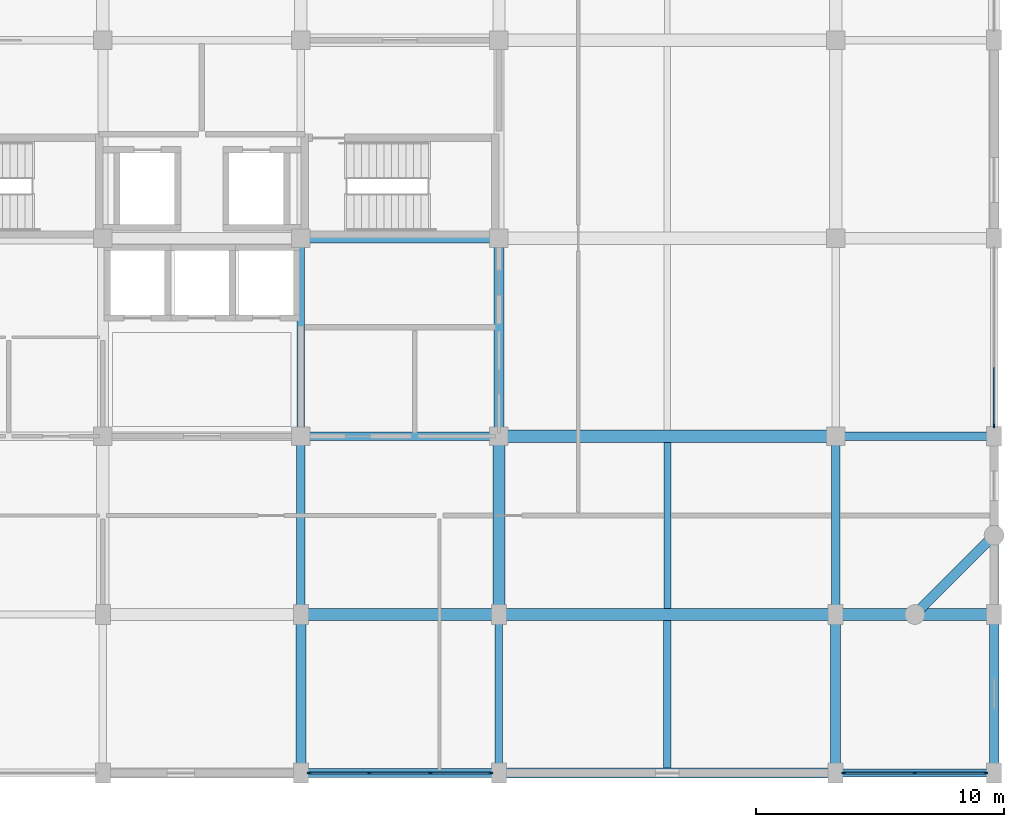
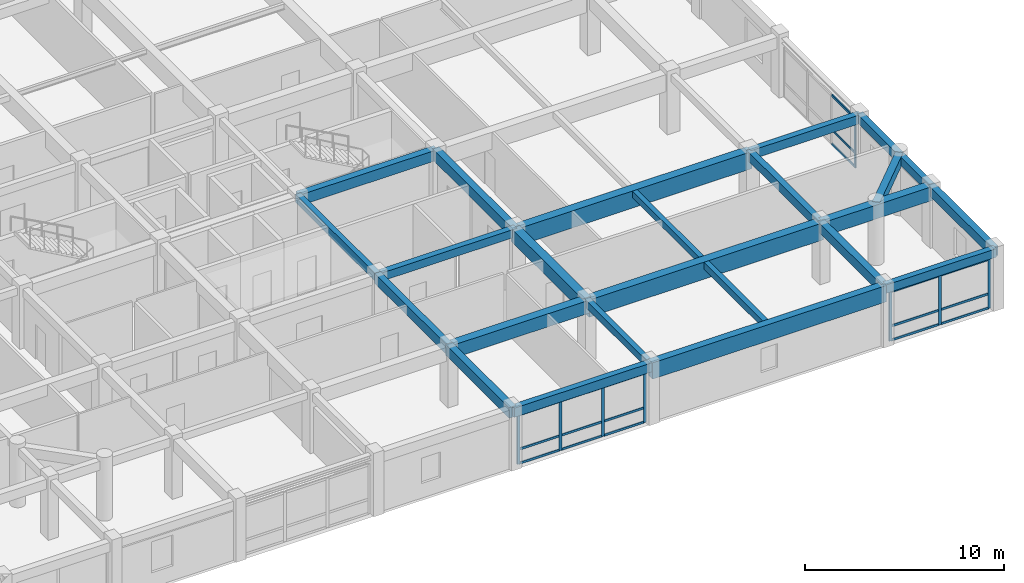
# One storey, part 4 of 14: 26 members, 23 beams, 3 elements without a shape of their own.
"""IFC4 building model written with IfcOpenShell, lengths in metres."""

from ifc_helpers import new_model, si_unit, direction, frame, origin, origin_2d, place, context, subcontext, project, spatial, rectangle, extrude, material, material_profile, profile_set, type_object, element, aggregate, save


model = new_model("IFC4")

# Units and contexts
model_context = context("Model", 3, precision=1e-05, world=origin(), true_north=direction((0.0, 1.0)))
body_context = subcontext(model_context, "Body", "Model", "MODEL_VIEW")
ifc_project = project(units=[si_unit("LENGTHUNIT", "METRE"), si_unit("AREAUNIT", "SQUARE_METRE"), si_unit("VOLUMEUNIT", "CUBIC_METRE"), si_unit("PLANEANGLEUNIT", "RADIAN"), si_unit("MASSUNIT", "GRAM", prefix="KILO")], contexts=[model_context])

# Site, building, storey
site_placement = place(None, origin())
site = spatial("IfcSite", under=ifc_project, at=site_placement, CompositionType="ELEMENT")
building_placement = place(site_placement, origin())
building = spatial("IfcBuilding", under=site, at=building_placement, Name="Vellmiral Cinema and Media Centre", CompositionType="ELEMENT")
storey_placement = place(building_placement, frame((0.0, 0.0, 27.800048828125)))
storey = spatial("IfcBuildingStorey", under=building, at=storey_placement, Name="L06", CompositionType="ELEMENT", Elevation=27.800048828125)

# Beams
ifc_material_1 = material(Name="Concrete C40/50", Category="concrete")
ifc_material_profile_1 = material_profile(ifc_material_1, rectangle(XDim=0.300048828125, YDim=0.449951171875, at=origin_2d()), Name="RC 300x450")
ifc_profile_set_1 = profile_set([ifc_material_profile_1], Name="Concrete C40/50")
beam_type_1 = type_object("IfcBeamType", Name="BM-RC-300x450", PredefinedType="BEAM", material=ifc_profile_set_1)
beam_1_placement = place(storey_placement, frame((148.0, 65.60009765625, 3.409912109375), z_axis=(0.0, 1.0, 0.0), x_axis=(-1.0, 0.0, 0.0)))
element("IfcBeam", 1, at=beam_1_placement, inside=storey, type_object=beam_type_1, Name="Grid Beam L06-Y079", PredefinedType="BEAM", context=body_context, shape_type="SweptSolid", body=[
    extrude(rectangle(XDim=0.300048828125, YDim=0.449951171875, at=origin_2d()), origin(), (0.0, 0.0, 1.0), 6.39990234375),
])
ifc_material_2 = material(Name="Concrete C40/50", Category="concrete")
ifc_material_profile_2 = material_profile(ifc_material_2, rectangle(XDim=0.300048828125, YDim=0.5, at=origin_2d()), Name="RC 300x500")
ifc_profile_set_2 = profile_set([ifc_material_profile_2], Name="Concrete C40/50")
beam_type_2 = type_object("IfcBeamType", Name="BM-RC-300x500", PredefinedType="BEAM", material=ifc_profile_set_2)
beam_2_placement = place(storey_placement, frame((140.0, 79.199951171875, 3.385009765625), z_axis=(0.0, 1.0, 0.0), x_axis=(-1.0, 0.0, 0.0)))
element("IfcBeam", 2, at=beam_2_placement, inside=storey, type_object=beam_type_2, Name="Grid Beam L06-Y075", PredefinedType="BEAM", context=body_context, shape_type="SweptSolid", body=[
    extrude(rectangle(XDim=0.300048828125, YDim=0.5, at=origin_2d()), origin(), (0.0, 0.0, 1.0), 8.0),
])
ifc_material_3 = material(Name="Concrete C40/50", Category="concrete")
ifc_material_profile_3 = material_profile(ifc_material_3, rectangle(XDim=0.35009765625, YDim=0.5, at=origin_2d()), Name="RC 350x500")
ifc_profile_set_3 = profile_set([ifc_material_profile_3], Name="Concrete C40/50")
beam_type_3 = type_object("IfcBeamType", Name="BM-RC-350x500", PredefinedType="BEAM", material=ifc_profile_set_3)
beam_3_placement = place(storey_placement, frame((140.0, 79.199951171875, 3.385009765625), z_axis=(1.0, 0.0, 0.0), x_axis=(0.0, 1.0, 0.0)))
element("IfcBeam", 3, at=beam_3_placement, inside=storey, type_object=beam_type_3, Name="Grid Beam L06-X019", PredefinedType="BEAM", context=body_context, shape_type="SweptSolid", body=[
    extrude(rectangle(XDim=0.35009765625, YDim=0.5, at=origin_2d()), origin(), (0.0, 0.0, 1.0), 8.0),
])
ifc_material_4 = material(Name="Concrete C40/50", Category="concrete")
ifc_material_profile_4 = material_profile(ifc_material_4, rectangle(XDim=0.35009765625, YDim=0.550048828125, at=origin_2d()), Name="RC 350x550")
ifc_profile_set_4 = profile_set([ifc_material_profile_4], Name="Concrete C40/50")
beam_type_4 = type_object("IfcBeamType", Name="BM-RC-350x550", PredefinedType="BEAM", material=ifc_profile_set_4)
beam_4_placement = place(storey_placement, frame((161.60009765625, 79.199951171875, 3.35986328125), z_axis=(1.0, 0.0, 0.0), x_axis=(0.0, 1.0, 0.0)))
element("IfcBeam", 4, at=beam_4_placement, inside=storey, type_object=beam_type_4, Name="Grid Beam L06-X021", PredefinedType="BEAM", context=body_context, shape_type="SweptSolid", body=[
    extrude(rectangle(XDim=0.35009765625, YDim=0.550048828125, at=origin_2d()), origin(), (0.0, 0.0, 1.0), 6.39990234375),
])
beam_5_placement = place(storey_placement, frame((161.60009765625, 72.0, 3.35986328125), z_axis=(0.0, 1.0, 0.0), x_axis=(-1.0, 0.0, 0.0)))
element("IfcBeam", 5, at=beam_5_placement, inside=storey, type_object=beam_type_4, Name="Grid Beam L06-Y086", PredefinedType="BEAM", context=body_context, shape_type="SweptSolid", body=[
    extrude(rectangle(XDim=0.35009765625, YDim=0.550048828125, at=origin_2d()), origin(), (0.0, 0.0, 1.0), 7.199951171875),
])
ifc_material_5 = material(Name="Concrete C40/50", Category="concrete")
ifc_material_profile_5 = material_profile(ifc_material_5, rectangle(XDim=0.35009765625, YDim=0.60009765625, at=origin_2d()), Name="RC 350x600")
ifc_profile_set_5 = profile_set([ifc_material_profile_5], Name="Concrete C40/50")
beam_type_5 = type_object("IfcBeamType", Name="BM-RC-350x600", PredefinedType="BEAM", material=ifc_profile_set_5)
beam_6_placement = place(storey_placement, frame((140.0, 72.0, 3.3349609375), z_axis=(0.0, 1.0, 0.0), x_axis=(-1.0, 0.0, 0.0)))
element("IfcBeam", 6, at=beam_6_placement, inside=storey, type_object=beam_type_5, Name="Grid Beam L06-Y074", PredefinedType="BEAM", context=body_context, shape_type="SweptSolid", body=[
    extrude(rectangle(XDim=0.35009765625, YDim=0.60009765625, at=origin_2d()), origin(), (0.0, 0.0, 1.0), 7.199951171875),
])
ifc_material_6 = material(Name="Concrete C40/50", Category="concrete")
ifc_material_profile_6 = material_profile(ifc_material_6, rectangle(XDim=0.39990234375, YDim=0.60009765625, at=origin_2d()), Name="RC 400x600")
ifc_profile_set_6 = profile_set([ifc_material_profile_6], Name="Concrete C40/50")
beam_type_6 = type_object("IfcBeamType", Name="BM-RC-400x600", PredefinedType="BEAM", material=ifc_profile_set_6)
beam_7_placement = place(storey_placement, frame((161.60009765625, 65.60009765625, 3.3349609375), z_axis=(0.0, 1.0, 0.0), x_axis=(-1.0, 0.0, 0.0)))
element("IfcBeam", 7, at=beam_7_placement, inside=storey, type_object=beam_type_6, Name="Grid Beam L06-Y085", PredefinedType="BEAM", context=body_context, shape_type="SweptSolid", body=[
    extrude(rectangle(XDim=0.39990234375, YDim=0.60009765625, at=origin_2d()), origin(), (0.0, 0.0, 1.0), 6.39990234375),
])
ifc_material_7 = material(Name="Concrete C40/50", Category="concrete")
ifc_material_profile_7 = material_profile(ifc_material_7, rectangle(XDim=0.39990234375, YDim=0.64990234375, at=origin_2d()), Name="RC 400x650")
ifc_profile_set_7 = profile_set([ifc_material_profile_7], Name="Concrete C40/50")
beam_type_7 = type_object("IfcBeamType", Name="BM-RC-400x650", PredefinedType="BEAM", material=ifc_profile_set_7)
beam_8_placement = place(storey_placement, frame((140.0, 87.199951171875, 3.31005859375), z_axis=(1.0, 0.0, 0.0), x_axis=(0.0, 1.0, 0.0)))
element("IfcBeam", 8, at=beam_8_placement, inside=storey, type_object=beam_type_7, Name="Grid Beam L06-X026", PredefinedType="BEAM", context=body_context, shape_type="SweptSolid", body=[
    extrude(rectangle(XDim=0.39990234375, YDim=0.64990234375, at=origin_2d()), origin(), (0.0, 0.0, 1.0), 8.0),
])
beam_9_placement = place(storey_placement, frame((140.0, 65.60009765625, 3.31005859375), z_axis=(0.0, 1.0, 0.0), x_axis=(-1.0, 0.0, 0.0)))
element("IfcBeam", 9, at=beam_9_placement, inside=storey, type_object=beam_type_7, Name="Grid Beam L06-Y073", PredefinedType="BEAM", context=body_context, shape_type="SweptSolid", body=[
    extrude(rectangle(XDim=0.39990234375, YDim=0.64990234375, at=origin_2d()), origin(), (0.0, 0.0, 1.0), 6.39990234375),
])
beam_10_placement = place(storey_placement, frame((148.0, 79.199951171875, 3.31005859375), z_axis=(0.0, 1.0, 0.0), x_axis=(-1.0, 0.0, 0.0)))
element("IfcBeam", 10, at=beam_10_placement, inside=storey, type_object=beam_type_7, Name="Grid Beam L06-Y081", PredefinedType="BEAM", context=body_context, shape_type="SweptSolid", body=[
    extrude(rectangle(XDim=0.39990234375, YDim=0.64990234375, at=origin_2d()), origin(), (0.0, 0.0, 1.0), 8.0),
])
ifc_material_8 = material(Name="Concrete C40/50", Category="concrete")
ifc_material_profile_8 = material_profile(ifc_material_8, rectangle(XDim=0.5, YDim=0.800048828125, at=origin_2d()), Name="RC 500x800")
ifc_profile_set_8 = profile_set([ifc_material_profile_8], Name="Concrete C40/50")
beam_type_8 = type_object("IfcBeamType", Name="BM-RC-500x800", PredefinedType="BEAM", material=ifc_profile_set_8)
beam_11_placement = place(storey_placement, frame((140.0, 72.0, 3.23486328125), z_axis=(1.0, 0.0, 0.0), x_axis=(0.0, 1.0, 0.0)))
element("IfcBeam", 11, at=beam_11_placement, inside=storey, type_object=beam_type_8, Name="Grid Beam L06-X012", PredefinedType="BEAM", context=body_context, shape_type="SweptSolid", body=[
    extrude(rectangle(XDim=0.5, YDim=0.800048828125, at=origin_2d()), origin(), (0.0, 0.0, 1.0), 8.0),
])
beam_12_placement = place(storey_placement, frame((148.0, 72.0, 3.23486328125), z_axis=(0.0, 1.0, 0.0), x_axis=(-1.0, 0.0, 0.0)))
element("IfcBeam", 12, at=beam_12_placement, inside=storey, type_object=beam_type_8, Name="Grid Beam L06-Y080", PredefinedType="BEAM", context=body_context, shape_type="SweptSolid", body=[
    extrude(rectangle(XDim=0.5, YDim=0.800048828125, at=origin_2d()), origin(), (0.0, 0.0, 1.0), 7.199951171875),
])
ifc_material_9 = material(Name="Concrete C40/50", Category="concrete")
ifc_material_profile_9 = material_profile(ifc_material_9, rectangle(XDim=0.5, YDim=0.85009765625, at=origin_2d()), Name="RC 500x850")
ifc_profile_set_9 = profile_set([ifc_material_profile_9], Name="Concrete C40/50")
beam_type_9 = type_object("IfcBeamType", Name="BM-RC-500x850", PredefinedType="BEAM", material=ifc_profile_set_9)
beam_13_placement = place(storey_placement, frame((161.60009765625, 72.0, 3.2099609375), z_axis=(1.0, 0.0, 0.0), x_axis=(0.0, 1.0, 0.0)))
element("IfcBeam", 13, at=beam_13_placement, inside=storey, type_object=beam_type_9, Name="Grid Beam L06-X014", PredefinedType="BEAM", context=body_context, shape_type="SweptSolid", body=[
    extrude(rectangle(XDim=0.5, YDim=0.85009765625, at=origin_2d()), origin(), (0.0, 0.0, 1.0), 6.39990234375),
])
ifc_material_10 = material(Name="Concrete C40/50", Category="concrete")
ifc_material_profile_10 = material_profile(ifc_material_10, rectangle(XDim=0.5, YDim=1.050048828125, at=origin_2d()), Name="RC 500x1050")
ifc_profile_set_10 = profile_set([ifc_material_profile_10], Name="Concrete C40/50")
beam_type_10 = type_object("IfcBeamType", Name="BM-RCG-500x1050", PredefinedType="BEAM", material=ifc_profile_set_10)
for number, where, z_axis, x_axis, name in (
    (14, (148.0, 72.0, 3.10986328125), (1.0, 0.0, 0.0), (0.0, 1.0, 0.0), "Grid Beam L06-X013"),
    (15, (148.0, 79.199951171875, 3.10986328125), (1.0, 0.0, 0.0), (0.0, 1.0, 0.0), "Grid Beam L06-X020"),
):
    element("IfcBeam", number, at=place(storey_placement, frame(where, z_axis=z_axis, x_axis=x_axis)), inside=storey, type_object=beam_type_10, Name=name, PredefinedType="BEAM", context=body_context, shape_type="SweptSolid", body=[
        extrude(rectangle(XDim=0.5, YDim=1.050048828125, at=origin_2d()), origin(), (0.0, 0.0, 1.0), 13.60009765625),
    ])

# Curtain wall, members
ifc_material_11 = material(Name="Thermally Broken Aluminium and Triple Glazing", Category="aluminium")
curtain_wall_type = type_object("IfcCurtainWallType", Name="CW-TOWER-LOW-S", PredefinedType="USERDEFINED", material=ifc_material_11)
curtain_wall_1_placement = place(storey_placement, origin())
curtain_wall_1 = element("IfcCurtainWall", 16, at=curtain_wall_1_placement, inside=storey, type_object=curtain_wall_type, Name="Curtain Wall L06-B005", ObjectType="UNITISED CURTAIN WALL", PredefinedType="USERDEFINED")
ifc_material_12 = material(Name="Thermally Broken Anodised Aluminium", Category="aluminium")
ifc_material_profile_11 = material_profile(ifc_material_12, rectangle(XDim=0.06494140625, YDim=0.159912109375, at=origin_2d()), Name="MULL 65x160")
ifc_profile_set_11 = profile_set([ifc_material_profile_11], Name="Thermally Broken Anodised Aluminium")
member_type_1 = type_object("IfcMemberType", Name="CWM-65x160", PredefinedType="MULLION", material=ifc_profile_set_11)
member_1_placement = place(storey_placement, frame((140.33251953125, 65.60009765625, 0.0), z_axis=(0.0, 0.0, 1.0), x_axis=(0.0, 1.0, 0.0)))
member_1 = element("IfcMember", 17, at=member_1_placement, type_object=member_type_1, Name="CW-06 mullion 1", PredefinedType="MULLION", context=body_context, shape_type="SweptSolid", body=[
    extrude(rectangle(XDim=0.06494140625, YDim=0.159912109375, at=origin_2d()), origin(), (0.0, 0.0, 1.0), 3.0400390625),
])
member_2_placement = place(storey_placement, frame((142.7666015625, 65.60009765625, 0.0), z_axis=(0.0, 0.0, 1.0), x_axis=(0.0, 1.0, 0.0)))
member_2 = element("IfcMember", 18, at=member_2_placement, type_object=member_type_1, Name="CW-06 mullion 2", PredefinedType="MULLION", context=body_context, shape_type="SweptSolid", body=[
    extrude(rectangle(XDim=0.06494140625, YDim=0.159912109375, at=origin_2d()), origin(), (0.0, 0.0, 1.0), 3.0400390625),
])
member_3_placement = place(storey_placement, frame((145.2333984375, 65.60009765625, 0.0), z_axis=(0.0, 0.0, 1.0), x_axis=(0.0, 1.0, 0.0)))
member_3 = element("IfcMember", 19, at=member_3_placement, type_object=member_type_1, Name="CW-06 mullion 3", PredefinedType="MULLION", context=body_context, shape_type="SweptSolid", body=[
    extrude(rectangle(XDim=0.06494140625, YDim=0.159912109375, at=origin_2d()), origin(), (0.0, 0.0, 1.0), 3.0400390625),
])
member_4_placement = place(storey_placement, frame((147.66748046875, 65.60009765625, 0.0), z_axis=(0.0, 0.0, 1.0), x_axis=(0.0, 1.0, 0.0)))
member_4 = element("IfcMember", 20, at=member_4_placement, type_object=member_type_1, Name="CW-06 mullion 4", PredefinedType="MULLION", context=body_context, shape_type="SweptSolid", body=[
    extrude(rectangle(XDim=0.06494140625, YDim=0.159912109375, at=origin_2d()), origin(), (0.0, 0.0, 1.0), 3.0400390625),
])

curtain_wall_2_placement = place(storey_placement, origin())
curtain_wall_2 = element("IfcCurtainWall", 21, at=curtain_wall_2_placement, inside=storey, type_object=curtain_wall_type, Name="Curtain Wall L06-B007", ObjectType="UNITISED CURTAIN WALL", PredefinedType="USERDEFINED")
member_5_placement = place(storey_placement, frame((161.9326171875, 65.60009765625, 0.0), z_axis=(0.0, 0.0, 1.0), x_axis=(0.0, 1.0, 0.0)))
member_5 = element("IfcMember", 22, at=member_5_placement, type_object=member_type_1, Name="CW-06 mullion 1", PredefinedType="MULLION", context=body_context, shape_type="SweptSolid", body=[
    extrude(rectangle(XDim=0.06494140625, YDim=0.159912109375, at=origin_2d()), origin(), (0.0, 0.0, 1.0), 3.0400390625),
])
member_6_placement = place(storey_placement, frame((164.800048828125, 65.60009765625, 0.0), z_axis=(0.0, 0.0, 1.0), x_axis=(0.0, 1.0, 0.0)))
member_6 = element("IfcMember", 23, at=member_6_placement, type_object=member_type_1, Name="CW-06 mullion 2", PredefinedType="MULLION", context=body_context, shape_type="SweptSolid", body=[
    extrude(rectangle(XDim=0.06494140625, YDim=0.159912109375, at=origin_2d()), origin(), (0.0, 0.0, 1.0), 3.0400390625),
])
member_7_placement = place(storey_placement, frame((167.66748046875, 65.60009765625, 0.0), z_axis=(0.0, 0.0, 1.0), x_axis=(0.0, 1.0, 0.0)))
member_7 = element("IfcMember", 24, at=member_7_placement, type_object=member_type_1, Name="CW-06 mullion 3", PredefinedType="MULLION", context=body_context, shape_type="SweptSolid", body=[
    extrude(rectangle(XDim=0.06494140625, YDim=0.159912109375, at=origin_2d()), origin(), (0.0, 0.0, 1.0), 3.0400390625),
])

# Curtain wall, member
curtain_wall_3_placement = place(storey_placement, origin())
curtain_wall_3 = element("IfcCurtainWall", 25, at=curtain_wall_3_placement, inside=storey, type_object=curtain_wall_type, Name="Curtain Wall L06-B011", ObjectType="UNITISED CURTAIN WALL", PredefinedType="USERDEFINED")
member_8_placement = place(storey_placement, frame((168.0, 79.632568359375, 0.0), z_axis=(0.0, 0.0, 1.0), x_axis=(-1.0, 0.0, 0.0)))
member_8 = element("IfcMember", 26, at=member_8_placement, type_object=member_type_1, Name="CW-06 mullion 1", PredefinedType="MULLION", context=body_context, shape_type="SweptSolid", body=[
    extrude(rectangle(XDim=0.06494140625, YDim=0.159912109375, at=origin_2d()), origin(), (0.0, 0.0, 1.0), 3.0400390625),
])

# Member
ifc_material_13 = material(Name="Thermally Broken Anodised Aluminium", Category="aluminium")
ifc_material_profile_12 = material_profile(ifc_material_13, rectangle(XDim=0.06494140625, YDim=0.135009765625, at=origin_2d()), Name="MULL 65x135")
ifc_profile_set_12 = profile_set([ifc_material_profile_12], Name="Thermally Broken Anodised Aluminium")
member_type_2 = type_object("IfcMemberType", Name="CWT-65x135", PredefinedType="USERDEFINED", material=ifc_profile_set_12)
member_9_placement = place(storey_placement, frame((140.364990234375, 65.60009765625, 0.032470703125), z_axis=(1.0, 0.0, 0.0), x_axis=(0.0, 1.0, 0.0)))
member_9 = element("IfcMember", 27, at=member_9_placement, type_object=member_type_2, Name="CW-06 transom 1.1", ObjectType="TRANSOM", PredefinedType="USERDEFINED", context=body_context, shape_type="SweptSolid", body=[
    extrude(rectangle(XDim=0.06494140625, YDim=0.135009765625, at=origin_2d()), origin(), (0.0, 0.0, 1.0), 2.369140625),
])

member_10_placement = place(storey_placement, frame((140.364990234375, 65.60009765625, 0.89990234375), z_axis=(1.0, 0.0, 0.0), x_axis=(0.0, 1.0, 0.0)))
member_10 = element("IfcMember", 28, at=member_10_placement, type_object=member_type_2, Name="CW-06 transom 1.2", ObjectType="TRANSOM", PredefinedType="USERDEFINED", context=body_context, shape_type="SweptSolid", body=[
    extrude(rectangle(XDim=0.06494140625, YDim=0.135009765625, at=origin_2d()), origin(), (0.0, 0.0, 1.0), 2.369140625),
])

member_11_placement = place(storey_placement, frame((140.364990234375, 65.60009765625, 3.007568359375), z_axis=(1.0, 0.0, 0.0), x_axis=(0.0, 1.0, 0.0)))
member_11 = element("IfcMember", 29, at=member_11_placement, type_object=member_type_2, Name="CW-06 transom 1.3", ObjectType="TRANSOM", PredefinedType="USERDEFINED", context=body_context, shape_type="SweptSolid", body=[
    extrude(rectangle(XDim=0.06494140625, YDim=0.135009765625, at=origin_2d()), origin(), (0.0, 0.0, 1.0), 2.369140625),
])

member_12_placement = place(storey_placement, frame((142.799072265625, 65.60009765625, 0.032470703125), z_axis=(1.0, 0.0, 0.0), x_axis=(0.0, 1.0, 0.0)))
member_12 = element("IfcMember", 30, at=member_12_placement, type_object=member_type_2, Name="CW-06 transom 2.1", ObjectType="TRANSOM", PredefinedType="USERDEFINED", context=body_context, shape_type="SweptSolid", body=[
    extrude(rectangle(XDim=0.06494140625, YDim=0.135009765625, at=origin_2d()), origin(), (0.0, 0.0, 1.0), 2.40185546875),
])

member_13_placement = place(storey_placement, frame((142.799072265625, 65.60009765625, 0.89990234375), z_axis=(1.0, 0.0, 0.0), x_axis=(0.0, 1.0, 0.0)))
member_13 = element("IfcMember", 31, at=member_13_placement, type_object=member_type_2, Name="CW-06 transom 2.2", ObjectType="TRANSOM", PredefinedType="USERDEFINED", context=body_context, shape_type="SweptSolid", body=[
    extrude(rectangle(XDim=0.06494140625, YDim=0.135009765625, at=origin_2d()), origin(), (0.0, 0.0, 1.0), 2.40185546875),
])

member_14_placement = place(storey_placement, frame((142.799072265625, 65.60009765625, 3.007568359375), z_axis=(1.0, 0.0, 0.0), x_axis=(0.0, 1.0, 0.0)))
member_14 = element("IfcMember", 32, at=member_14_placement, type_object=member_type_2, Name="CW-06 transom 2.3", ObjectType="TRANSOM", PredefinedType="USERDEFINED", context=body_context, shape_type="SweptSolid", body=[
    extrude(rectangle(XDim=0.06494140625, YDim=0.135009765625, at=origin_2d()), origin(), (0.0, 0.0, 1.0), 2.40185546875),
])

member_15_placement = place(storey_placement, frame((145.265869140625, 65.60009765625, 0.032470703125), z_axis=(1.0, 0.0, 0.0), x_axis=(0.0, 1.0, 0.0)))
member_15 = element("IfcMember", 33, at=member_15_placement, type_object=member_type_2, Name="CW-06 transom 3.1", ObjectType="TRANSOM", PredefinedType="USERDEFINED", context=body_context, shape_type="SweptSolid", body=[
    extrude(rectangle(XDim=0.06494140625, YDim=0.135009765625, at=origin_2d()), origin(), (0.0, 0.0, 1.0), 2.369140625),
])

member_16_placement = place(storey_placement, frame((145.265869140625, 65.60009765625, 0.89990234375), z_axis=(1.0, 0.0, 0.0), x_axis=(0.0, 1.0, 0.0)))
member_16 = element("IfcMember", 34, at=member_16_placement, type_object=member_type_2, Name="CW-06 transom 3.2", ObjectType="TRANSOM", PredefinedType="USERDEFINED", context=body_context, shape_type="SweptSolid", body=[
    extrude(rectangle(XDim=0.06494140625, YDim=0.135009765625, at=origin_2d()), origin(), (0.0, 0.0, 1.0), 2.369140625),
])

member_17_placement = place(storey_placement, frame((145.265869140625, 65.60009765625, 3.007568359375), z_axis=(1.0, 0.0, 0.0), x_axis=(0.0, 1.0, 0.0)))
member_17 = element("IfcMember", 35, at=member_17_placement, type_object=member_type_2, Name="CW-06 transom 3.3", ObjectType="TRANSOM", PredefinedType="USERDEFINED", context=body_context, shape_type="SweptSolid", body=[
    extrude(rectangle(XDim=0.06494140625, YDim=0.135009765625, at=origin_2d()), origin(), (0.0, 0.0, 1.0), 2.369140625),
])

aggregate(curtain_wall_1, [member_1, member_2, member_3, member_4, member_9, member_10, member_11, member_12, member_13, member_14, member_15, member_16, member_17])

member_18_placement = place(storey_placement, frame((161.965087890625, 65.60009765625, 0.032470703125), z_axis=(1.0, 0.0, 0.0), x_axis=(0.0, 1.0, 0.0)))
member_18 = element("IfcMember", 36, at=member_18_placement, type_object=member_type_2, Name="CW-06 transom 1.1", ObjectType="TRANSOM", PredefinedType="USERDEFINED", context=body_context, shape_type="SweptSolid", body=[
    extrude(rectangle(XDim=0.06494140625, YDim=0.135009765625, at=origin_2d()), origin(), (0.0, 0.0, 1.0), 2.802490234375),
])

member_19_placement = place(storey_placement, frame((161.965087890625, 65.60009765625, 0.89990234375), z_axis=(1.0, 0.0, 0.0), x_axis=(0.0, 1.0, 0.0)))
member_19 = element("IfcMember", 37, at=member_19_placement, type_object=member_type_2, Name="CW-06 transom 1.2", ObjectType="TRANSOM", PredefinedType="USERDEFINED", context=body_context, shape_type="SweptSolid", body=[
    extrude(rectangle(XDim=0.06494140625, YDim=0.135009765625, at=origin_2d()), origin(), (0.0, 0.0, 1.0), 2.802490234375),
])

member_20_placement = place(storey_placement, frame((161.965087890625, 65.60009765625, 3.007568359375), z_axis=(1.0, 0.0, 0.0), x_axis=(0.0, 1.0, 0.0)))
member_20 = element("IfcMember", 38, at=member_20_placement, type_object=member_type_2, Name="CW-06 transom 1.3", ObjectType="TRANSOM", PredefinedType="USERDEFINED", context=body_context, shape_type="SweptSolid", body=[
    extrude(rectangle(XDim=0.06494140625, YDim=0.135009765625, at=origin_2d()), origin(), (0.0, 0.0, 1.0), 2.802490234375),
])

member_21_placement = place(storey_placement, frame((164.83251953125, 65.60009765625, 0.032470703125), z_axis=(1.0, 0.0, 0.0), x_axis=(0.0, 1.0, 0.0)))
member_21 = element("IfcMember", 39, at=member_21_placement, type_object=member_type_2, Name="CW-06 transom 2.1", ObjectType="TRANSOM", PredefinedType="USERDEFINED", context=body_context, shape_type="SweptSolid", body=[
    extrude(rectangle(XDim=0.06494140625, YDim=0.135009765625, at=origin_2d()), origin(), (0.0, 0.0, 1.0), 2.802490234375),
])

member_22_placement = place(storey_placement, frame((164.83251953125, 65.60009765625, 0.89990234375), z_axis=(1.0, 0.0, 0.0), x_axis=(0.0, 1.0, 0.0)))
member_22 = element("IfcMember", 40, at=member_22_placement, type_object=member_type_2, Name="CW-06 transom 2.2", ObjectType="TRANSOM", PredefinedType="USERDEFINED", context=body_context, shape_type="SweptSolid", body=[
    extrude(rectangle(XDim=0.06494140625, YDim=0.135009765625, at=origin_2d()), origin(), (0.0, 0.0, 1.0), 2.802490234375),
])

member_23_placement = place(storey_placement, frame((164.83251953125, 65.60009765625, 3.007568359375), z_axis=(1.0, 0.0, 0.0), x_axis=(0.0, 1.0, 0.0)))
member_23 = element("IfcMember", 41, at=member_23_placement, type_object=member_type_2, Name="CW-06 transom 2.3", ObjectType="TRANSOM", PredefinedType="USERDEFINED", context=body_context, shape_type="SweptSolid", body=[
    extrude(rectangle(XDim=0.06494140625, YDim=0.135009765625, at=origin_2d()), origin(), (0.0, 0.0, 1.0), 2.802490234375),
])

aggregate(curtain_wall_2, [member_5, member_6, member_7, member_18, member_19, member_20, member_21, member_22, member_23])

member_24_placement = place(storey_placement, frame((168.0, 79.6650390625, 0.032470703125), z_axis=(0.0, 1.0, 0.0), x_axis=(-1.0, 0.0, 0.0)))
member_24 = element("IfcMember", 42, at=member_24_placement, type_object=member_type_2, Name="CW-06 transom 1.1", ObjectType="TRANSOM", PredefinedType="USERDEFINED", context=body_context, shape_type="SweptSolid", body=[
    extrude(rectangle(XDim=0.06494140625, YDim=0.135009765625, at=origin_2d()), origin(), (0.0, 0.0, 1.0), 2.302490234375),
])

member_25_placement = place(storey_placement, frame((168.0, 79.6650390625, 0.89990234375), z_axis=(0.0, 1.0, 0.0), x_axis=(-1.0, 0.0, 0.0)))
member_25 = element("IfcMember", 43, at=member_25_placement, type_object=member_type_2, Name="CW-06 transom 1.2", ObjectType="TRANSOM", PredefinedType="USERDEFINED", context=body_context, shape_type="SweptSolid", body=[
    extrude(rectangle(XDim=0.06494140625, YDim=0.135009765625, at=origin_2d()), origin(), (0.0, 0.0, 1.0), 2.302490234375),
])

member_26_placement = place(storey_placement, frame((168.0, 79.6650390625, 3.007568359375), z_axis=(0.0, 1.0, 0.0), x_axis=(-1.0, 0.0, 0.0)))
member_26 = element("IfcMember", 44, at=member_26_placement, type_object=member_type_2, Name="CW-06 transom 1.3", ObjectType="TRANSOM", PredefinedType="USERDEFINED", context=body_context, shape_type="SweptSolid", body=[
    extrude(rectangle(XDim=0.06494140625, YDim=0.135009765625, at=origin_2d()), origin(), (0.0, 0.0, 1.0), 2.302490234375),
])

aggregate(curtain_wall_3, [member_8, member_24, member_25, member_26])

# Beams
ifc_material_14 = material(Name="Concrete C40/50", Category="concrete")
ifc_material_profile_13 = material_profile(ifc_material_14, rectangle(XDim=0.280029296875, YDim=0.39990234375, at=origin_2d()), Name="RC 280x400")
ifc_profile_set_13 = profile_set([ifc_material_profile_13], Name="Concrete C40/50")
beam_type_11 = type_object("IfcBeamType", Name="JST-RC-280x400", PredefinedType="JOIST", material=ifc_profile_set_13)
beam_14_placement = place(storey_placement, frame((154.800048828125, 72.25, 3.43505859375), z_axis=(0.0, 1.0, 0.0), x_axis=(-1.0, 0.0, 0.0)))
element("IfcBeam", 45, at=beam_14_placement, inside=storey, type_object=beam_type_11, Name="Secondary Floor Joist L06-007", PredefinedType="JOIST", context=body_context, shape_type="SweptSolid", body=[
    extrude(rectangle(XDim=0.280029296875, YDim=0.39990234375, at=origin_2d()), origin(), (0.0, 0.0, 1.0), 6.699951171875),
])
ifc_material_15 = material(Name="Concrete C40/50", Category="concrete")
ifc_material_profile_14 = material_profile(ifc_material_15, rectangle(XDim=0.300048828125, YDim=0.419921875, at=origin_2d()), Name="RC 300x420")
ifc_profile_set_14 = profile_set([ifc_material_profile_14], Name="Concrete C40/50")
beam_type_12 = type_object("IfcBeamType", Name="JST-RC-300x420", PredefinedType="JOIST", material=ifc_profile_set_14)
beam_15_placement = place(storey_placement, frame((154.800048828125, 65.81005859375, 3.425048828125), z_axis=(0.0, 1.0, 0.0), x_axis=(-1.0, 0.0, 0.0)))
element("IfcBeam", 46, at=beam_15_placement, inside=storey, type_object=beam_type_12, Name="Secondary Floor Joist L06-006", PredefinedType="JOIST", context=body_context, shape_type="SweptSolid", body=[
    extrude(rectangle(XDim=0.300048828125, YDim=0.419921875, at=origin_2d()), origin(), (0.0, 0.0, 1.0), 5.93994140625),
])
ifc_material_16 = material(Name="Concrete C40/50", Category="concrete")
ifc_material_profile_15 = material_profile(ifc_material_16, rectangle(XDim=0.35009765625, YDim=0.56005859375, at=origin_2d()), Name="RC 350x560")
ifc_profile_set_15 = profile_set([ifc_material_profile_15], Name="Concrete C40/50")
beam_type_13 = type_object("IfcBeamType", Name="SPD-RC-350x560", PredefinedType="SPANDREL", material=ifc_profile_set_15)
beam_16_placement = place(storey_placement, frame((140.0, 65.60009765625, 3.35498046875), z_axis=(1.0, 0.0, 0.0), x_axis=(0.0, 1.0, 0.0)))
element("IfcBeam", 47, at=beam_16_placement, inside=storey, type_object=beam_type_13, Name="Grid Beam L06-X005", PredefinedType="SPANDREL", context=body_context, shape_type="SweptSolid", body=[
    extrude(rectangle(XDim=0.35009765625, YDim=0.56005859375, at=origin_2d()), origin(), (0.0, 0.0, 1.0), 8.0),
])
ifc_material_17 = material(Name="Concrete C40/50", Category="concrete")
ifc_material_profile_16 = material_profile(ifc_material_17, rectangle(XDim=0.39990234375, YDim=0.60009765625, at=origin_2d()), Name="RC 400x600")
ifc_profile_set_16 = profile_set([ifc_material_profile_16], Name="Concrete C40/50")
beam_type_14 = type_object("IfcBeamType", Name="SPD-RC-400x600", PredefinedType="SPANDREL", material=ifc_profile_set_16)
beam_17_placement = place(storey_placement, frame((164.800048828125, 72.0, 3.3349609375), z_axis=(0.707106781187, 0.707106781187, 0.0), x_axis=(-0.707106781187, 0.707106781187, 0.0)))
element("IfcBeam", 48, at=beam_17_placement, inside=storey, type_object=beam_type_14, Name="Xamfra Chamfer Spandrel Beam L06-098", PredefinedType="SPANDREL", context=body_context, shape_type="SweptSolid", body=[
    extrude(rectangle(XDim=0.39990234375, YDim=0.60009765625, at=origin_2d()), origin(), (0.0, 0.0, 1.0), 4.525390625),
])
ifc_material_18 = material(Name="Vosges Red Sandstone Masonry", Category="masonry")
ifc_material_profile_17 = material_profile(ifc_material_18, rectangle(XDim=0.340087890625, YDim=0.52001953125, at=origin_2d()), Name="SAND 340x520")
ifc_profile_set_17 = profile_set([ifc_material_profile_17], Name="Vosges Red Sandstone Masonry")
beam_type_15 = type_object("IfcBeamType", Name="SPD-SAND-340x520", PredefinedType="SPANDREL", material=ifc_profile_set_17)
beam_18_placement = place(storey_placement, frame((161.60009765625, 65.60009765625, 3.375), z_axis=(1.0, 0.0, 0.0), x_axis=(0.0, 1.0, 0.0)))
element("IfcBeam", 49, at=beam_18_placement, inside=storey, type_object=beam_type_15, Name="Grid Beam L06-X007", PredefinedType="SPANDREL", context=body_context, shape_type="SweptSolid", body=[
    extrude(rectangle(XDim=0.340087890625, YDim=0.52001953125, at=origin_2d()), origin(), (0.0, 0.0, 1.0), 6.39990234375),
])
beam_19_placement = place(storey_placement, frame((168.0, 72.0, 3.375), z_axis=(0.0, 1.0, 0.0), x_axis=(-1.0, 0.0, 0.0)))
element("IfcBeam", 50, at=beam_19_placement, inside=storey, type_object=beam_type_15, Name="Grid Beam L06-Y092", PredefinedType="SPANDREL", context=body_context, shape_type="SweptSolid", body=[
    extrude(rectangle(XDim=0.340087890625, YDim=0.52001953125, at=origin_2d()), origin(), (0.0, 0.0, 1.0), 7.199951171875),
])
ifc_material_19 = material(Name="Vosges Red Sandstone Masonry", Category="masonry")
ifc_material_profile_18 = material_profile(ifc_material_19, rectangle(XDim=0.3798828125, YDim=0.580078125, at=origin_2d()), Name="SAND 380x580")
ifc_profile_set_18 = profile_set([ifc_material_profile_18], Name="Vosges Red Sandstone Masonry")
beam_type_16 = type_object("IfcBeamType", Name="SPD-SAND-380x580", PredefinedType="SPANDREL", material=ifc_profile_set_18)
beam_20_placement = place(storey_placement, frame((168.0, 65.60009765625, 3.344970703125), z_axis=(0.0, 1.0, 0.0), x_axis=(-1.0, 0.0, 0.0)))
element("IfcBeam", 51, at=beam_20_placement, inside=storey, type_object=beam_type_16, Name="Grid Beam L06-Y091", PredefinedType="SPANDREL", context=body_context, shape_type="SweptSolid", body=[
    extrude(rectangle(XDim=0.3798828125, YDim=0.580078125, at=origin_2d()), origin(), (0.0, 0.0, 1.0), 6.39990234375),
])
ifc_material_20 = material(Name="Vosges Red Sandstone Masonry", Category="masonry")
ifc_material_profile_19 = material_profile(ifc_material_20, rectangle(XDim=0.419921875, YDim=1.0, at=origin_2d()), Name="SAND 420x1000")
ifc_profile_set_19 = profile_set([ifc_material_profile_19], Name="Vosges Red Sandstone Masonry")
beam_type_17 = type_object("IfcBeamType", Name="SPD-SANDG-420x1000", PredefinedType="SPANDREL", material=ifc_profile_set_19)
beam_21_placement = place(storey_placement, frame((148.0, 65.60009765625, 3.135009765625), z_axis=(1.0, 0.0, 0.0), x_axis=(0.0, 1.0, 0.0)))
element("IfcBeam", 52, at=beam_21_placement, inside=storey, type_object=beam_type_17, Name="Grid Beam L06-X006", PredefinedType="SPANDREL", context=body_context, shape_type="SweptSolid", body=[
    extrude(rectangle(XDim=0.419921875, YDim=1.0, at=origin_2d()), origin(), (0.0, 0.0, 1.0), 13.60009765625),
])

save(model, "model.ifc")
